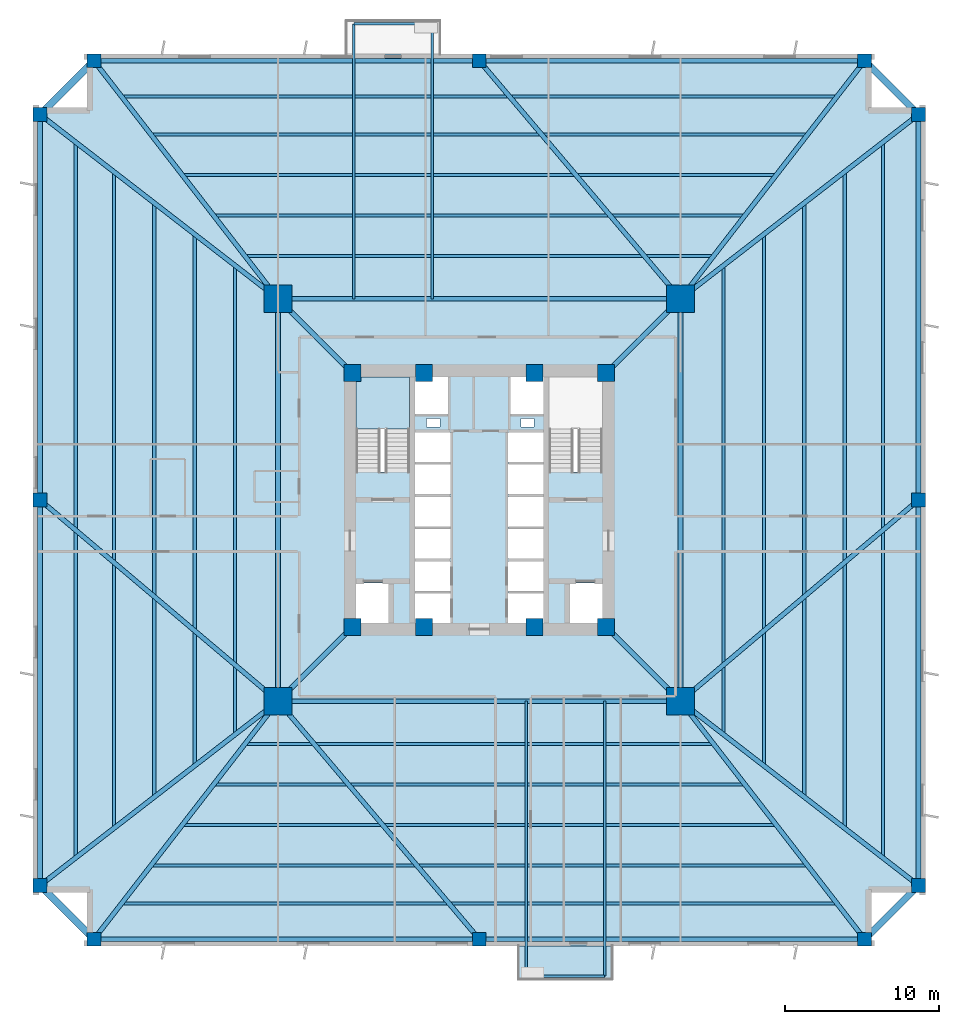
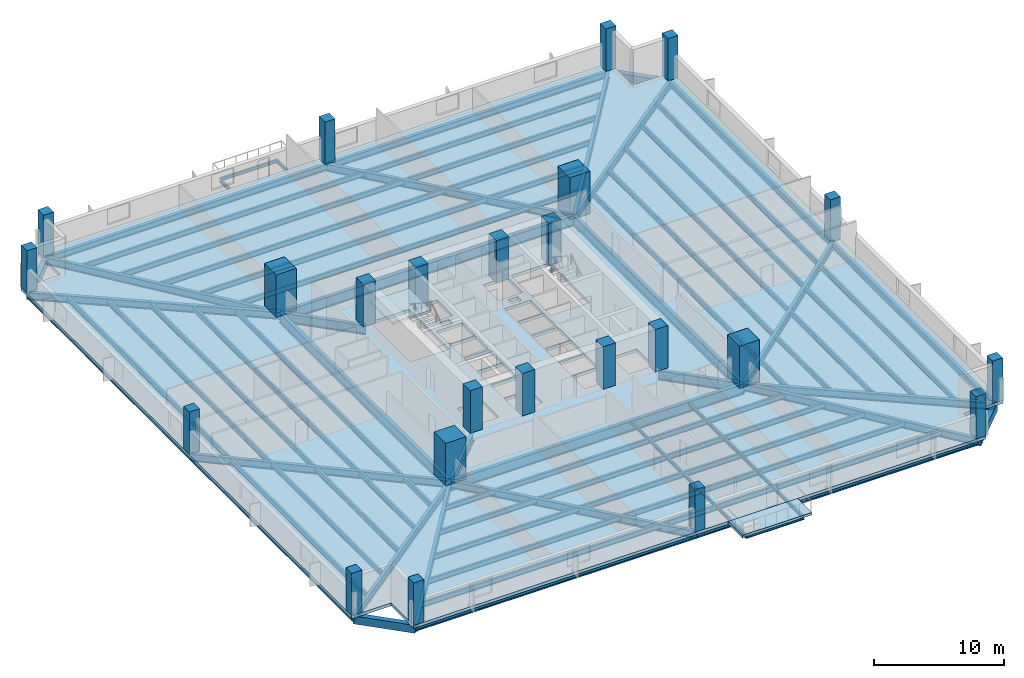
# One storey, part 1 of 8: 58 beams, 24 columns, 3 slabs, 1 element without a shape of its own.
"""IFC4 building model written with IfcOpenShell, lengths in metres."""

from ifc_helpers import new_model, si_unit, direction, frame, origin, origin_2d, place, context, subcontext, project, spatial, polyline, rectangle, i_section, outline, extrude, source, transform, mapped, material, layer, layer_set, material_profile, profile_set, type_object, element, aggregate, save


model = new_model("IFC4")

# Units and contexts
model_context = context("Model", 3, precision=1e-05, world=origin(), true_north=direction((0.0, 1.0)))
body_context = subcontext(model_context, "Body", "Model", "MODEL_VIEW")
ifc_project = project(units=[si_unit("LENGTHUNIT", "METRE"), si_unit("AREAUNIT", "SQUARE_METRE"), si_unit("VOLUMEUNIT", "CUBIC_METRE"), si_unit("PLANEANGLEUNIT", "RADIAN"), si_unit("MASSUNIT", "GRAM", prefix="KILO"), si_unit("THERMODYNAMICTEMPERATUREUNIT", "KELVIN")], contexts=[model_context])

# Site, building, storey
site_placement = place(None, origin())
site = spatial("IfcSite", under=ifc_project, at=site_placement, CompositionType="ELEMENT")
building_placement = place(site_placement, origin())
building = spatial("IfcBuilding", under=site, at=building_placement, Name="Kosmvard Interchange Tower", CompositionType="ELEMENT")
storey_placement = place(building_placement, frame((0.0, 0.0, 74.0)))
storey = spatial("IfcBuildingStorey", under=building, at=storey_placement, Name="L17", CompositionType="ELEMENT", Elevation=74.0)

# Columns
ifc_material_1 = material(Name="Concrete C80/95", Category="concrete")
ifc_material_profile_1 = material_profile(ifc_material_1, rectangle(XDim=1.10009765625, YDim=1.10009765625, at=origin_2d()), Name="CP 1100x1100")
ifc_profile_set_1 = profile_set([ifc_material_profile_1], Name="Concrete C80/95")
column_type_1 = type_object("IfcColumnType", Name="Core Boundary Pilaster 1100x1100 C80/95", PredefinedType="PILASTER", material=ifc_profile_set_1)
shared_shape_1 = source(origin(), body_context, "Body", "SweptSolid", [
    extrude(rectangle(XDim=1.10009765625, YDim=1.10009765625, at=origin_2d()), origin(), (0.0, 0.0, 1.0), 4.0),
])
for number, where, z_axis, x_axis, name in (
    (1, (-8.25, -8.25, 0.0), (0.0, 0.0, 1.0), (1.0, 0.0, 0.0), "L17 Core Pilaster CP1"),
    (2, (8.25, -8.25, 0.0), (0.0, 0.0, 1.0), (1.0, 0.0, 0.0), "L17 Core Pilaster CP2"),
    (3, (8.25, 8.25, 0.0), (0.0, 0.0, 1.0), (1.0, 0.0, 0.0), "L17 Core Pilaster CP3"),
    (4, (-8.25, 8.25, 0.0), (0.0, 0.0, 1.0), (1.0, 0.0, 0.0), "L17 Core Pilaster CP4"),
    (5, (-3.60009765625, -8.25, 0.0), (0.0, 0.0, 1.0), (1.0, 0.0, 0.0), "L17 Core Pilaster CP5"),
    (6, (3.60009765625, -8.25, 0.0), (0.0, 0.0, 1.0), (1.0, 0.0, 0.0), "L17 Core Pilaster CP6"),
    (7, (-3.60009765625, 8.25, 0.0), (0.0, 0.0, 1.0), (1.0, 0.0, 0.0), "L17 Core Pilaster CP7"),
    (8, (3.60009765625, 8.25, 0.0), (0.0, 0.0, 1.0), (1.0, 0.0, 0.0), "L17 Core Pilaster CP8"),
):
    element("IfcColumn", number, at=place(storey_placement, frame(where, z_axis=z_axis, x_axis=x_axis)), inside=storey, type_object=column_type_1, Name=name, PredefinedType="PILASTER", context=body_context, shape_type="MappedRepresentation", body=[
        mapped(shared_shape_1, transform((0.0, 0.0, 0.0), scale=1.0)),
    ])
ifc_material_profile_2 = material_profile(ifc_material_1, rectangle(XDim=1.800048828125, YDim=1.800048828125, at=origin_2d()), Name="MC 1800x1800")
ifc_profile_set_2 = profile_set([ifc_material_profile_2], Name="Concrete C80/95")
column_type_2 = type_object("IfcColumnType", Name="Composite Mega-Column 1800x1800 C80/95", PredefinedType="COLUMN", material=ifc_profile_set_2)
shared_shape_2 = source(origin(), body_context, "Body", "SweptSolid", [
    extrude(rectangle(XDim=1.800048828125, YDim=1.800048828125, at=origin_2d()), origin(), (0.0, 0.0, 1.0), 4.0),
])
for number, where, z_axis, x_axis, name in (
    (9, (-13.0810546875, -13.0810546875, 0.0), (0.0, 0.0, 1.0), (1.0, 0.0, 0.0), "L17 Corner Mega-Column MC1"),
    (10, (13.0810546875, -13.0810546875, 0.0), (0.0, 0.0, 1.0), (1.0, 0.0, 0.0), "L17 Corner Mega-Column MC2"),
    (11, (13.0810546875, 13.0810546875, 0.0), (0.0, 0.0, 1.0), (1.0, 0.0, 0.0), "L17 Corner Mega-Column MC3"),
    (12, (-13.0810546875, 13.0810546875, 0.0), (0.0, 0.0, 1.0), (1.0, 0.0, 0.0), "L17 Corner Mega-Column MC4"),
):
    element("IfcColumn", number, at=place(storey_placement, frame(where, z_axis=z_axis, x_axis=x_axis)), inside=storey, type_object=column_type_2, Name=name, PredefinedType="COLUMN", context=body_context, shape_type="MappedRepresentation", body=[
        mapped(shared_shape_2, transform((0.0, 0.0, 0.0), scale=1.0)),
    ])
ifc_material_2 = material(Name="Concrete C60/75", Category="concrete")
ifc_material_profile_3 = material_profile(ifc_material_2, rectangle(XDim=0.89990234375, YDim=0.89990234375, at=origin_2d()), Name="TC 900x900")
ifc_profile_set_3 = profile_set([ifc_material_profile_3], Name="Concrete C60/75")
column_type_3 = type_object("IfcColumnType", Name="Zone 1 Perimeter Pier Column 900x900 C60/75", PredefinedType="COLUMN", material=ifc_profile_set_3)
shared_shape_3 = source(origin(), body_context, "Body", "SweptSolid", [
    extrude(rectangle(XDim=0.89990234375, YDim=0.89990234375, at=origin_2d()), origin(), (0.0, 0.0, 1.0), 4.0),
])
for number, where, z_axis, x_axis, name in (
    (13, (-25.050048828125, -28.550048828125, 0.0), (0.0, 0.0, 1.0), (1.0, 0.0, 0.0), "L17 Perimeter Pier Column TC-S1"),
    (14, (0.0, -28.550048828125, 0.0), (0.0, 0.0, 1.0), (1.0, 0.0, 0.0), "L17 Perimeter Pier Column TC-S2"),
    (15, (25.050048828125, -28.550048828125, 0.0), (0.0, 0.0, 1.0), (1.0, 0.0, 0.0), "L17 Perimeter Pier Column TC-S3"),
    (16, (28.550048828125, -25.050048828125, 0.0), (0.0, 0.0, 1.0), (1.0, 0.0, 0.0), "L17 Perimeter Pier Column TC-E1"),
    (17, (28.550048828125, 0.0, 0.0), (0.0, 0.0, 1.0), (1.0, 0.0, 0.0), "L17 Perimeter Pier Column TC-E2"),
    (18, (28.550048828125, 25.050048828125, 0.0), (0.0, 0.0, 1.0), (1.0, 0.0, 0.0), "L17 Perimeter Pier Column TC-E3"),
    (19, (25.050048828125, 28.550048828125, 0.0), (0.0, 0.0, 1.0), (1.0, 0.0, 0.0), "L17 Perimeter Pier Column TC-N1"),
    (20, (0.0, 28.550048828125, 0.0), (0.0, 0.0, 1.0), (1.0, 0.0, 0.0), "L17 Perimeter Pier Column TC-N2"),
    (21, (-25.050048828125, 28.550048828125, 0.0), (0.0, 0.0, 1.0), (1.0, 0.0, 0.0), "L17 Perimeter Pier Column TC-N3"),
    (22, (-28.550048828125, 25.050048828125, 0.0), (0.0, 0.0, 1.0), (1.0, 0.0, 0.0), "L17 Perimeter Pier Column TC-W1"),
    (23, (-28.550048828125, 0.0, 0.0), (0.0, 0.0, 1.0), (1.0, 0.0, 0.0), "L17 Perimeter Pier Column TC-W2"),
    (24, (-28.550048828125, -25.050048828125, 0.0), (0.0, 0.0, 1.0), (1.0, 0.0, 0.0), "L17 Perimeter Pier Column TC-W3"),
):
    element("IfcColumn", number, at=place(storey_placement, frame(where, z_axis=z_axis, x_axis=x_axis)), inside=storey, type_object=column_type_3, Name=name, PredefinedType="COLUMN", context=body_context, shape_type="MappedRepresentation", body=[
        mapped(shared_shape_3, transform((0.0, 0.0, 0.0), scale=1.0)),
    ])

# Beams
ifc_material_3 = material(Name="Steel S460", Category="steel")
ifc_material_profile_4 = material_profile(ifc_material_3, i_section(OverallWidth=0.30810546875, OverallDepth=0.909912109375, WebThickness=0.02099609375, FlangeThickness=0.0400390625, FilletRadius=0.027099609375, at=origin_2d()), Name="HEM 900")
ifc_profile_set_4 = profile_set([ifc_material_profile_4], Name="Steel S460")
beam_type_1 = type_object("IfcBeamType", Name="Primary Mega-Frame Girder HEM 900 S460", PredefinedType="BEAM", material=ifc_profile_set_4)
shared_shape_4 = source(origin(), body_context, "Body", "SweptSolid", [
    extrude(i_section(OverallWidth=0.30810546875, OverallDepth=0.909912109375, WebThickness=0.02099609375, FlangeThickness=0.0400390625, FilletRadius=0.027099609375, at=origin_2d()), origin(), (0.0, 0.0, 1.0), 6.83203125),
])
for number, where, z_axis, x_axis, name in (
    (25, (-8.25, -8.25, -0.735107421875), (-0.707106781187, -0.707106781187, 0.0), (0.707106781187, -0.707106781187, 0.0), "L17 Radial Mega-Frame Girder 1"),
    (26, (8.25, -8.25, -0.735107421875), (0.707106781187, -0.707106781187, 0.0), (0.707106781187, 0.707106781187, 0.0), "L17 Radial Mega-Frame Girder 2"),
    (27, (8.25, 8.25, -0.735107421875), (0.707106781187, 0.707106781187, 0.0), (-0.707106781187, 0.707106781187, 0.0), "L17 Radial Mega-Frame Girder 3"),
    (28, (-8.25, 8.25, -0.735107421875), (-0.707106781187, 0.707106781187, 0.0), (-0.707106781187, -0.707106781187, 0.0), "L17 Radial Mega-Frame Girder 4"),
):
    element("IfcBeam", number, at=place(storey_placement, frame(where, z_axis=z_axis, x_axis=x_axis)), inside=storey, type_object=beam_type_1, Name=name, PredefinedType="BEAM", context=body_context, shape_type="MappedRepresentation", body=[
        mapped(shared_shape_4, transform((0.0, 0.0, 0.0), scale=1.0)),
    ])
ifc_material_profile_5 = material_profile(ifc_material_3, i_section(OverallWidth=0.30908203125, OverallDepth=1.008056640625, WebThickness=0.02099609375, FlangeThickness=0.0400390625, FilletRadius=0.030029296875, at=origin_2d()), Name="HEM 1000")
ifc_profile_set_5 = profile_set([ifc_material_profile_5], Name="Steel S460")
beam_type_2 = type_object("IfcBeamType", Name="Mega-Column Ring Girder HEM 1000 S460", PredefinedType="BEAM", material=ifc_profile_set_5)
shared_shape_5 = source(origin(), body_context, "Body", "SweptSolid", [
    extrude(i_section(OverallWidth=0.30908203125, OverallDepth=1.008056640625, WebThickness=0.02099609375, FlangeThickness=0.0400390625, FilletRadius=0.030029296875, at=origin_2d()), origin(), (0.0, 0.0, 1.0), 26.162109375),
])
for number, where, z_axis, x_axis, name in (
    (29, (-13.0810546875, -13.0810546875, -0.783935546875), (1.0, 0.0, 0.0), (0.0, 1.0, 0.0), "L17 Mega-Column Ring Girder 1"),
    (30, (13.0810546875, -13.0810546875, -0.783935546875), (0.0, 1.0, 0.0), (-1.0, 0.0, 0.0), "L17 Mega-Column Ring Girder 2"),
    (31, (13.0810546875, 13.0810546875, -0.783935546875), (-1.0, 0.0, 0.0), (0.0, -1.0, 0.0), "L17 Mega-Column Ring Girder 3"),
    (32, (-13.0810546875, 13.0810546875, -0.783935546875), (0.0, -1.0, 0.0), (1.0, 0.0, 0.0), "L17 Mega-Column Ring Girder 4"),
):
    element("IfcBeam", number, at=place(storey_placement, frame(where, z_axis=z_axis, x_axis=x_axis)), inside=storey, type_object=beam_type_2, Name=name, PredefinedType="BEAM", context=body_context, shape_type="MappedRepresentation", body=[
        mapped(shared_shape_5, transform((0.0, 0.0, 0.0), scale=1.0)),
    ])
ifc_material_4 = material(Name="Steel S355", Category="steel")
ifc_material_profile_6 = material_profile(ifc_material_4, i_section(OverallWidth=0.159912109375, OverallDepth=0.330078125, WebThickness=0.007568359375, FlangeThickness=0.011474609375, FilletRadius=0.01806640625, at=origin_2d()), Name="IPE 330")
ifc_profile_set_6 = profile_set([ifc_material_profile_6], Name="Steel S355")
beam_type_3 = type_object("IfcBeamType", Name="Balcony Cantilever Joist IPE 330 S355", PredefinedType="JOIST", material=ifc_profile_set_6)
shared_shape_6 = source(origin(), body_context, "Body", "SweptSolid", [
    extrude(i_section(OverallWidth=0.159912109375, OverallDepth=0.330078125, WebThickness=0.007568359375, FlangeThickness=0.011474609375, FilletRadius=0.01806640625, at=origin_2d()), origin(), (0.0, 0.0, 1.0), 17.868896484375),
])
for number, where, z_axis, x_axis, name in (
    (33, (-3.050048828125, 13.0810546875, -0.445068359375), (0.0, 1.0, 0.0), (-1.0, 0.0, 0.0), "BM-L17-BJ1"),
    (34, (-8.14990234375, 13.0810546875, -0.445068359375), (0.0, 1.0, 0.0), (-1.0, 0.0, 0.0), "BM-L17-BJB1"),
    (35, (3.050048828125, -13.0810546875, -0.445068359375), (0.0, -1.0, 0.0), (1.0, 0.0, 0.0), "BM-L17-BJ2"),
    (36, (8.14990234375, -13.0810546875, -0.445068359375), (0.0, -1.0, 0.0), (1.0, 0.0, 0.0), "BM-L17-BJB2"),
):
    element("IfcBeam", number, at=place(storey_placement, frame(where, z_axis=z_axis, x_axis=x_axis)), inside=storey, type_object=beam_type_3, Name=name, PredefinedType="JOIST", context=body_context, shape_type="MappedRepresentation", body=[
        mapped(shared_shape_6, transform((0.0, 0.0, 0.0), scale=1.0)),
    ])
ifc_material_profile_7 = material_profile(ifc_material_4, i_section(OverallWidth=0.14990234375, OverallDepth=0.300048828125, WebThickness=0.007080078125, FlangeThickness=0.0107421875, FilletRadius=0.014892578125, at=origin_2d()), Name="IPE 300")
ifc_profile_set_7 = profile_set([ifc_material_profile_7], Name="Steel S355")
beam_type_4 = type_object("IfcBeamType", Name="Balcony Edge Header Joist IPE 300 S355", PredefinedType="JOIST", material=ifc_profile_set_7)
shared_shape_7 = source(origin(), body_context, "Body", "SweptSolid", [
    extrude(i_section(OverallWidth=0.14990234375, OverallDepth=0.300048828125, WebThickness=0.007080078125, FlangeThickness=0.0107421875, FilletRadius=0.014892578125, at=origin_2d()), origin(), (0.0, 0.0, 1.0), 5.099853515625),
])
for number, where, z_axis, x_axis, name in (
    (37, (-3.050048828125, 30.949951171875, -0.429931640625), (-1.0, 0.0, 0.0), (0.0, -1.0, 0.0), "BM-L17-BJH1"),
    (38, (3.050048828125, -30.949951171875, -0.429931640625), (1.0, 0.0, 0.0), (0.0, 1.0, 0.0), "BM-L17-BJH2"),
):
    element("IfcBeam", number, at=place(storey_placement, frame(where, z_axis=z_axis, x_axis=x_axis)), inside=storey, type_object=beam_type_4, Name=name, PredefinedType="JOIST", context=body_context, shape_type="MappedRepresentation", body=[
        mapped(shared_shape_7, transform((0.0, 0.0, 0.0), scale=1.0)),
    ])
ifc_material_profile_8 = material_profile(ifc_material_4, i_section(OverallWidth=0.300048828125, OverallDepth=0.60009765625, WebThickness=0.015380859375, FlangeThickness=0.030029296875, FilletRadius=0.027099609375, at=origin_2d()), Name="HEB 600")
ifc_profile_set_8 = profile_set([ifc_material_profile_8], Name="Steel S355")
beam_type_5 = type_object("IfcBeamType", Name="Perimeter Tie Girder HEB 600 S355", PredefinedType="BEAM", material=ifc_profile_set_8)
shared_shape_8 = source(origin(), body_context, "Body", "SweptSolid", [
    extrude(i_section(OverallWidth=0.300048828125, OverallDepth=0.60009765625, WebThickness=0.015380859375, FlangeThickness=0.030029296875, FilletRadius=0.027099609375, at=origin_2d()), origin(), (0.0, 0.0, 1.0), 25.050048828125),
])
for number, where, z_axis, x_axis, name in (
    (39, (-25.050048828125, -28.550048828125, -0.580078125), (1.0, 0.0, 0.0), (0.0, 1.0, 0.0), "BM-L17-PR01"),
    (40, (0.0, -28.550048828125, -0.580078125), (1.0, 0.0, 0.0), (0.0, 1.0, 0.0), "BM-L17-PR02"),
    (41, (28.550048828125, -25.050048828125, -0.580078125), (0.0, 1.0, 0.0), (-1.0, 0.0, 0.0), "BM-L17-PR04"),
    (42, (28.550048828125, 0.0, -0.580078125), (0.0, 1.0, 0.0), (-1.0, 0.0, 0.0), "BM-L17-PR05"),
    (43, (25.050048828125, 28.550048828125, -0.580078125), (-1.0, 0.0, 0.0), (0.0, -1.0, 0.0), "BM-L17-PR07"),
    (44, (0.0, 28.550048828125, -0.580078125), (-1.0, 0.0, 0.0), (0.0, -1.0, 0.0), "BM-L17-PR08"),
    (45, (-28.550048828125, 25.050048828125, -0.580078125), (0.0, -1.0, 0.0), (1.0, 0.0, 0.0), "BM-L17-PR10"),
    (46, (-28.550048828125, 0.0, -0.580078125), (0.0, -1.0, 0.0), (1.0, 0.0, 0.0), "BM-L17-PR11"),
):
    element("IfcBeam", number, at=place(storey_placement, frame(where, z_axis=z_axis, x_axis=x_axis)), inside=storey, type_object=beam_type_5, Name=name, PredefinedType="BEAM", context=body_context, shape_type="MappedRepresentation", body=[
        mapped(shared_shape_8, transform((0.0, 0.0, 0.0), scale=1.0)),
    ])
ifc_material_profile_9 = material_profile(ifc_material_4, i_section(OverallWidth=0.300048828125, OverallDepth=0.699951171875, WebThickness=0.01708984375, FlangeThickness=0.031982421875, FilletRadius=0.027099609375, at=origin_2d()), Name="HEB 700")
ifc_profile_set_9 = profile_set([ifc_material_profile_9], Name="Steel S355")
beam_type_6 = type_object("IfcBeamType", Name="Primary Floor Girder HEB 700 S355", PredefinedType="BEAM", material=ifc_profile_set_9)
shared_shape_9 = source(origin(), body_context, "Body", "SweptSolid", [
    extrude(i_section(OverallWidth=0.300048828125, OverallDepth=0.699951171875, WebThickness=0.01708984375, FlangeThickness=0.031982421875, FilletRadius=0.027099609375, at=origin_2d()), origin(), (0.0, 0.0, 1.0), 19.558837890625),
])
for number, where, z_axis, x_axis, name in (
    (47, (-13.0810546875, -13.0810546875, -0.6298828125), (-0.611949354357, -0.79089695138, 0.0), (0.79089695138, -0.611949354357, 0.0), "BM-L17-RD01"),
    (48, (13.0810546875, -13.0810546875, -0.6298828125), (0.611949354357, -0.79089695138, 0.0), (0.79089695138, 0.611949354357, 0.0), "BM-L17-RD03"),
    (49, (13.0810546875, -13.0810546875, -0.6298828125), (0.79089695138, -0.611949354357, 0.0), (0.611949354357, 0.79089695138, 0.0), "BM-L17-RD04"),
    (50, (13.0810546875, 13.0810546875, -0.6298828125), (0.79089695138, 0.611949354357, 0.0), (-0.611949354357, 0.79089695138, 0.0), "BM-L17-RD06"),
    (51, (13.0810546875, 13.0810546875, -0.6298828125), (0.611949354357, 0.79089695138, 0.0), (-0.79089695138, 0.611949354357, 0.0), "BM-L17-RD07"),
    (52, (-13.0810546875, 13.0810546875, -0.6298828125), (-0.611949354357, 0.79089695138, 0.0), (-0.79089695138, -0.611949354357, 0.0), "BM-L17-RD09"),
    (53, (-13.0810546875, 13.0810546875, -0.6298828125), (-0.79089695138, 0.611949354357, 0.0), (-0.611949354357, -0.79089695138, 0.0), "BM-L17-RD10"),
    (54, (-13.0810546875, -13.0810546875, -0.6298828125), (-0.79089695138, -0.611949354357, 0.0), (0.611949354357, -0.79089695138, 0.0), "BM-L17-RD12"),
):
    element("IfcBeam", number, at=place(storey_placement, frame(where, z_axis=z_axis, x_axis=x_axis)), inside=storey, type_object=beam_type_6, Name=name, PredefinedType="BEAM", context=body_context, shape_type="MappedRepresentation", body=[
        mapped(shared_shape_9, transform((0.0, 0.0, 0.0), scale=1.0)),
    ])
shared_shape_10 = source(origin(), body_context, "Body", "SweptSolid", [
    extrude(i_section(OverallWidth=0.300048828125, OverallDepth=0.699951171875, WebThickness=0.01708984375, FlangeThickness=0.031982421875, FilletRadius=0.027099609375, at=origin_2d()), origin(), (0.0, 0.0, 1.0), 20.258544921875),
])
for number, where, z_axis, x_axis, name in (
    (55, (-13.0810546875, -13.0810546875, -0.6298828125), (0.645709371734, -0.763583268056, 0.0), (0.763583268056, 0.645709371734, 0.0), "BM-L17-RD02"),
    (56, (13.0810546875, -13.0810546875, -0.6298828125), (0.763583268056, 0.645709371734, 0.0), (-0.645709371734, 0.763583268056, 0.0), "BM-L17-RD05"),
    (57, (13.0810546875, 13.0810546875, -0.6298828125), (-0.645709371734, 0.763583268056, 0.0), (-0.763583268056, -0.645709371734, 0.0), "BM-L17-RD08"),
    (58, (-13.0810546875, -13.0810546875, -0.6298828125), (-0.763583268056, 0.645709371734, 0.0), (-0.645709371734, -0.763583268056, 0.0), "BM-L17-RD11"),
):
    element("IfcBeam", number, at=place(storey_placement, frame(where, z_axis=z_axis, x_axis=x_axis)), inside=storey, type_object=beam_type_6, Name=name, PredefinedType="BEAM", context=body_context, shape_type="MappedRepresentation", body=[
        mapped(shared_shape_10, transform((0.0, 0.0, 0.0), scale=1.0)),
    ])
ifc_material_5 = material(Name="Precast concrete C45/55", Category="concrete")
ifc_material_profile_10 = material_profile(ifc_material_5, rectangle(XDim=0.449951171875, YDim=0.75, at=origin_2d()), Name="SL 450x750")
ifc_profile_set_10 = profile_set([ifc_material_profile_10], Name="Precast concrete C45/55")
beam_type_7 = type_object("IfcBeamType", Name="Precast Spandrel Lintel 450x750 C45/55", PredefinedType="LINTEL", material=ifc_profile_set_10)
shared_shape_11 = source(origin(), body_context, "Body", "SweptSolid", [
    extrude(rectangle(XDim=0.449951171875, YDim=0.75, at=origin_2d()), origin(), (0.0, 0.0, 1.0), 4.94970703125),
])
for number, where, z_axis, x_axis, name in (
    (59, (25.050048828125, -28.550048828125, -0.655029296875), (0.707106781187, 0.707106781187, 0.0), (-0.707106781187, 0.707106781187, 0.0), "BM-L17-SL1"),
    (60, (28.550048828125, 25.050048828125, -0.655029296875), (-0.707106781187, 0.707106781187, 0.0), (-0.707106781187, -0.707106781187, 0.0), "BM-L17-SL2"),
    (61, (-25.050048828125, 28.550048828125, -0.655029296875), (-0.707106781187, -0.707106781187, 0.0), (0.707106781187, -0.707106781187, 0.0), "BM-L17-SL3"),
    (62, (-28.550048828125, -25.050048828125, -0.655029296875), (0.707106781187, -0.707106781187, 0.0), (0.707106781187, 0.707106781187, 0.0), "BM-L17-SL4"),
):
    element("IfcBeam", number, at=place(storey_placement, frame(where, z_axis=z_axis, x_axis=x_axis)), inside=storey, type_object=beam_type_7, Name=name, PredefinedType="LINTEL", context=body_context, shape_type="MappedRepresentation", body=[
        mapped(shared_shape_11, transform((0.0, 0.0, 0.0), scale=1.0)),
    ])
ifc_material_profile_11 = material_profile(ifc_material_4, i_section(OverallWidth=0.199951171875, OverallDepth=0.5, WebThickness=0.01025390625, FlangeThickness=0.01611328125, FilletRadius=0.02099609375, at=origin_2d()), Name="IPE 500")
ifc_profile_set_11 = profile_set([ifc_material_profile_11], Name="Steel S355")
beam_type_8 = type_object("IfcBeamType", Name="Standard Floor Joist IPE 500 S355", PredefinedType="JOIST", material=ifc_profile_set_11)
shared_shape_12 = source(origin(), body_context, "Body", "SweptSolid", [
    extrude(i_section(OverallWidth=0.199951171875, OverallDepth=0.5, WebThickness=0.01025390625, FlangeThickness=0.01611328125, FilletRadius=0.02099609375, at=origin_2d()), origin(), (0.0, 0.0, 1.0), 30.31103515625),
])
for number, where, z_axis, x_axis, name in (
    (63, (-15.155517578125, -15.865478515625, -0.530029296875), (1.0, 0.0, 0.0), (0.0, 1.0, 0.0), "BM-L17-FJ01"),
    (64, (15.865478515625, -15.155517578125, -0.530029296875), (0.0, 1.0, 0.0), (-1.0, 0.0, 0.0), "BM-L17-FJ06"),
    (65, (15.155517578125, 15.865478515625, -0.530029296875), (-1.0, 0.0, 0.0), (0.0, -1.0, 0.0), "BM-L17-FJ11"),
    (66, (-15.865478515625, 15.155517578125, -0.530029296875), (0.0, -1.0, 0.0), (1.0, 0.0, 0.0), "BM-L17-FJ16"),
):
    element("IfcBeam", number, at=place(storey_placement, frame(where, z_axis=z_axis, x_axis=x_axis)), inside=storey, type_object=beam_type_8, Name=name, PredefinedType="JOIST", context=body_context, shape_type="MappedRepresentation", body=[
        mapped(shared_shape_12, transform((0.0, 0.0, 0.0), scale=1.0)),
    ])
shared_shape_13 = source(origin(), body_context, "Body", "SweptSolid", [
    extrude(i_section(OverallWidth=0.199951171875, OverallDepth=0.5, WebThickness=0.01025390625, FlangeThickness=0.01611328125, FilletRadius=0.02099609375, at=origin_2d()), origin(), (0.0, 0.0, 1.0), 34.38037109375),
])
for number, where, z_axis, x_axis, name in (
    (67, (-17.190185546875, -18.4951171875, -0.530029296875), (1.0, 0.0, 0.0), (0.0, 1.0, 0.0), "BM-L17-FJ02"),
    (68, (18.4951171875, -17.190185546875, -0.530029296875), (0.0, 1.0, 0.0), (-1.0, 0.0, 0.0), "BM-L17-FJ07"),
    (69, (17.190185546875, 18.4951171875, -0.530029296875), (-1.0, 0.0, 0.0), (0.0, -1.0, 0.0), "BM-L17-FJ12"),
    (70, (-18.4951171875, 17.190185546875, -0.530029296875), (0.0, -1.0, 0.0), (1.0, 0.0, 0.0), "BM-L17-FJ17"),
):
    element("IfcBeam", number, at=place(storey_placement, frame(where, z_axis=z_axis, x_axis=x_axis)), inside=storey, type_object=beam_type_8, Name=name, PredefinedType="JOIST", context=body_context, shape_type="MappedRepresentation", body=[
        mapped(shared_shape_13, transform((0.0, 0.0, 0.0), scale=1.0)),
    ])
shared_shape_14 = source(origin(), body_context, "Body", "SweptSolid", [
    extrude(i_section(OverallWidth=0.199951171875, OverallDepth=0.5, WebThickness=0.01025390625, FlangeThickness=0.01611328125, FilletRadius=0.02099609375, at=origin_2d()), origin(), (0.0, 0.0, 1.0), 38.44970703125),
])
for number, where, z_axis, x_axis, name in (
    (71, (-19.224853515625, -21.125, -0.530029296875), (1.0, 0.0, 0.0), (0.0, 1.0, 0.0), "BM-L17-FJ03"),
    (72, (21.125, -19.224853515625, -0.530029296875), (0.0, 1.0, 0.0), (-1.0, 0.0, 0.0), "BM-L17-FJ08"),
    (73, (19.224853515625, 21.125, -0.530029296875), (-1.0, 0.0, 0.0), (0.0, -1.0, 0.0), "BM-L17-FJ13"),
    (74, (-21.125, 19.224853515625, -0.530029296875), (0.0, -1.0, 0.0), (1.0, 0.0, 0.0), "BM-L17-FJ18"),
):
    element("IfcBeam", number, at=place(storey_placement, frame(where, z_axis=z_axis, x_axis=x_axis)), inside=storey, type_object=beam_type_8, Name=name, PredefinedType="JOIST", context=body_context, shape_type="MappedRepresentation", body=[
        mapped(shared_shape_14, transform((0.0, 0.0, 0.0), scale=1.0)),
    ])
shared_shape_15 = source(origin(), body_context, "Body", "SweptSolid", [
    extrude(i_section(OverallWidth=0.199951171875, OverallDepth=0.5, WebThickness=0.01025390625, FlangeThickness=0.01611328125, FilletRadius=0.02099609375, at=origin_2d()), origin(), (0.0, 0.0, 1.0), 42.51904296875),
])
for number, where, z_axis, x_axis, name in (
    (75, (-21.259521484375, -23.754638671875, -0.530029296875), (1.0, 0.0, 0.0), (0.0, 1.0, 0.0), "BM-L17-FJ04"),
    (76, (23.754638671875, -21.259521484375, -0.530029296875), (0.0, 1.0, 0.0), (-1.0, 0.0, 0.0), "BM-L17-FJ09"),
    (77, (21.259521484375, 23.754638671875, -0.530029296875), (-1.0, 0.0, 0.0), (0.0, -1.0, 0.0), "BM-L17-FJ14"),
    (78, (-23.754638671875, 21.259521484375, -0.530029296875), (0.0, -1.0, 0.0), (1.0, 0.0, 0.0), "BM-L17-FJ19"),
):
    element("IfcBeam", number, at=place(storey_placement, frame(where, z_axis=z_axis, x_axis=x_axis)), inside=storey, type_object=beam_type_8, Name=name, PredefinedType="JOIST", context=body_context, shape_type="MappedRepresentation", body=[
        mapped(shared_shape_15, transform((0.0, 0.0, 0.0), scale=1.0)),
    ])
shared_shape_16 = source(origin(), body_context, "Body", "SweptSolid", [
    extrude(i_section(OverallWidth=0.199951171875, OverallDepth=0.5, WebThickness=0.01025390625, FlangeThickness=0.01611328125, FilletRadius=0.02099609375, at=origin_2d()), origin(), (0.0, 0.0, 1.0), 46.34912109375),
])
for number, where, z_axis, x_axis, name in (
    (79, (-23.174560546875, -26.229736328125, -0.530029296875), (1.0, 0.0, 0.0), (0.0, 1.0, 0.0), "BM-L17-FJ05"),
    (80, (26.229736328125, -23.174560546875, -0.530029296875), (0.0, 1.0, 0.0), (-1.0, 0.0, 0.0), "BM-L17-FJ10"),
    (81, (23.174560546875, 26.229736328125, -0.530029296875), (-1.0, 0.0, 0.0), (0.0, -1.0, 0.0), "BM-L17-FJ15"),
    (82, (-26.229736328125, 23.174560546875, -0.530029296875), (0.0, -1.0, 0.0), (1.0, 0.0, 0.0), "BM-L17-FJ20"),
):
    element("IfcBeam", number, at=place(storey_placement, frame(where, z_axis=z_axis, x_axis=x_axis)), inside=storey, type_object=beam_type_8, Name=name, PredefinedType="JOIST", context=body_context, shape_type="MappedRepresentation", body=[
        mapped(shared_shape_16, transform((0.0, 0.0, 0.0), scale=1.0)),
    ])

# Slab
ifc_material_6 = material(Name="Concrete C50/60", Category="concrete")
ifc_layer_1 = layer(ifc_material_6, 0.280029296875, Name="Concrete C50/60")
ifc_layer_set_1 = layer_set([ifc_layer_1], Name="Concrete C50/60")
slab_type_1 = type_object("IfcSlabType", Name="Low-Rise Office Composite Slab 280 C50/60", PredefinedType="FLOOR", material=ifc_layer_set_1)
slab_1_placement = place(storey_placement, frame((0.0, 0.0, -0.280029296875)))
element("IfcSlab", 83, at=slab_1_placement, inside=storey, type_object=slab_type_1, Name="L17 Structural Floor Slab", PredefinedType="FLOOR", context=body_context, shape_type="SweptSolid", body=[
    extrude(outline(polyline([(-25.5, -29.0), (25.5, -29.0), (25.5, -25.5), (29.0, -25.5), (29.0, 25.5), (25.5, 25.5), (25.5, 29.0), (-25.5, 29.0), (-25.5, 25.5), (-29.0, 25.5), (-29.0, -25.5), (-25.5, -25.5), (-25.5, -29.0)]), holes=[polyline([(-8.0, 1.8349609375), (-4.5400390625, 1.8349609375), (-4.5400390625, 8.0), (-8.0, 8.0), (-8.0, 1.8349609375)]), polyline([(4.5400390625, 1.8349609375), (8.0, 1.8349609375), (8.0, 8.0), (4.5400390625, 8.0), (4.5400390625, 1.8349609375)]), polyline([(-8.0, -8.0), (-5.800048828125, -8.0), (-5.800048828125, -5.39990234375), (-8.0, -5.39990234375), (-8.0, -8.0)]), polyline([(5.800048828125, -8.0), (8.0, -8.0), (8.0, -5.39990234375), (5.800048828125, -5.39990234375), (5.800048828125, -8.0)]), polyline([(-4.179931640625, -8.0), (-1.8798828125, -8.0), (-1.8798828125, -6.06005859375), (-4.179931640625, -6.06005859375), (-4.179931640625, -8.0)]), polyline([(-4.179931640625, -5.93994140625), (-1.8798828125, -5.93994140625), (-1.8798828125, -4.0), (-4.179931640625, -4.0), (-4.179931640625, -5.93994140625)]), polyline([(1.8798828125, -8.0), (4.179931640625, -8.0), (4.179931640625, -6.06005859375), (1.8798828125, -6.06005859375), (1.8798828125, -8.0)]), polyline([(1.8798828125, -5.93994140625), (4.179931640625, -5.93994140625), (4.179931640625, -4.0), (1.8798828125, -4.0), (1.8798828125, -5.93994140625)]), polyline([(-4.179931640625, -3.800048828125), (-1.8798828125, -3.800048828125), (-1.8798828125, -1.860107421875), (-4.179931640625, -1.860107421875), (-4.179931640625, -3.800048828125)]), polyline([(-4.179931640625, -1.739990234375), (-1.8798828125, -1.739990234375), (-1.8798828125, 0.199951171875), (-4.179931640625, 0.199951171875), (-4.179931640625, -1.739990234375)]), polyline([(1.8798828125, -3.800048828125), (4.179931640625, -3.800048828125), (4.179931640625, -1.860107421875), (1.8798828125, -1.860107421875), (1.8798828125, -3.800048828125)]), polyline([(1.8798828125, -1.739990234375), (4.179931640625, -1.739990234375), (4.179931640625, 0.199951171875), (1.8798828125, 0.199951171875), (1.8798828125, -1.739990234375)]), polyline([(-4.179931640625, 0.39990234375), (-1.8798828125, 0.39990234375), (-1.8798828125, 2.340087890625), (-4.179931640625, 2.340087890625), (-4.179931640625, 0.39990234375)]), polyline([(-4.179931640625, 2.4599609375), (-1.8798828125, 2.4599609375), (-1.8798828125, 4.39990234375), (-4.179931640625, 4.39990234375), (-4.179931640625, 2.4599609375)]), polyline([(1.8798828125, 0.39990234375), (4.179931640625, 0.39990234375), (4.179931640625, 2.340087890625), (1.8798828125, 2.340087890625), (1.8798828125, 0.39990234375)]), polyline([(1.8798828125, 2.4599609375), (4.179931640625, 2.4599609375), (4.179931640625, 4.39990234375), (1.8798828125, 4.39990234375), (1.8798828125, 2.4599609375)]), polyline([(-4.179931640625, 5.60009765625), (-2.0400390625, 5.60009765625), (-2.0400390625, 8.0), (-4.179931640625, 8.0), (-4.179931640625, 5.60009765625)]), polyline([(2.0400390625, 5.60009765625), (4.179931640625, 5.60009765625), (4.179931640625, 8.0), (2.0400390625, 8.0), (2.0400390625, 5.60009765625)]), polyline([(-3.4150390625, 4.739990234375), (-2.56494140625, 4.739990234375), (-2.56494140625, 5.2900390625), (-3.4150390625, 5.2900390625), (-3.4150390625, 4.739990234375)]), polyline([(2.715087890625, 4.739990234375), (3.56494140625, 4.739990234375), (3.56494140625, 5.2900390625), (2.715087890625, 5.2900390625), (2.715087890625, 4.739990234375)])]), origin(), (0.0, 0.0, 1.0), 0.280029296875),
])

# Stair, slab
stair_type = type_object("IfcStairType", Name="Dog-Leg Core Exit Stair H4000 C50/60", PredefinedType="HALF_TURN_STAIR", material=ifc_material_6)
stair_placement = place(storey_placement, origin())
stair = element("IfcStair", 84, at=stair_placement, inside=storey, type_object=stair_type, Name="L17 Protected Exit Stair ST-1", PredefinedType="HALF_TURN_STAIR")
ifc_layer_2 = layer(ifc_material_6, 0.199951171875, Name="Concrete C50/60")
ifc_layer_set_2 = layer_set([ifc_layer_2], Name="Concrete C50/60")
slab_type_2 = type_object("IfcSlabType", Name="Stair Half-Landing Slab 200 C50/60", PredefinedType="LANDING", material=ifc_layer_set_2)
slab_2_placement = place(storey_placement, frame((0.0, 0.0, 1.800048828125)))
slab_2 = element("IfcSlab", 85, at=slab_2_placement, type_object=slab_type_2, Name="ST-1 landing 1", PredefinedType="LANDING", context=body_context, shape_type="SweptSolid", body=[
    extrude(outline(polyline([(-4.5400390625, 4.60009765625), (-4.5400390625, 8.0), (-8.0, 8.0), (-8.0, 4.60009765625), (-4.5400390625, 4.60009765625)])), origin(), (0.0, 0.0, 1.0), 0.199951171875),
])
aggregate(stair, [slab_2])

# Slab
ifc_layer_3 = layer(ifc_material_6, 0.22998046875, Name="Concrete C50/60")
ifc_layer_set_3 = layer_set([ifc_layer_3], Name="Concrete C50/60")
slab_type_3 = type_object("IfcSlabType", Name="Tree-Planter Cantilever Balcony Slab 230 C50/60", PredefinedType="FLOOR", material=ifc_layer_set_3)
slab_3_placement = place(storey_placement, frame((0.0, 0.0, -0.22998046875)))
element("IfcSlab", 86, at=slab_3_placement, inside=storey, type_object=slab_type_3, Name="L17 Outdoor Terrace Balcony Slab BAL-L17-SW", PredefinedType="FLOOR", context=body_context, shape_type="SweptSolid", body=[
    extrude(outline(polyline([(2.5, -31.199951171875), (8.699951171875, -31.199951171875), (8.699951171875, -29.0), (2.5, -29.0), (2.5, -31.199951171875)])), origin(), (0.0, 0.0, 1.0), 0.22998046875),
])

save(model, "model.ifc")
